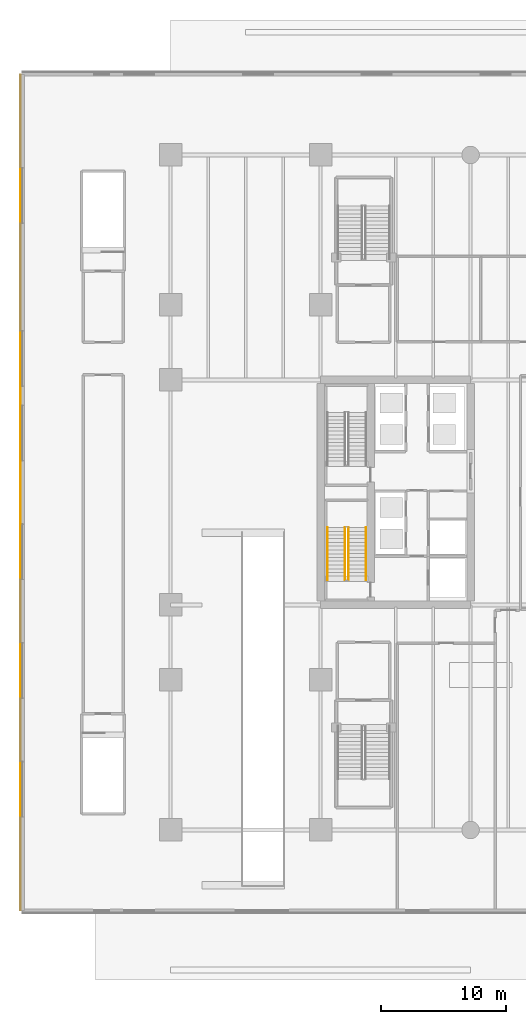
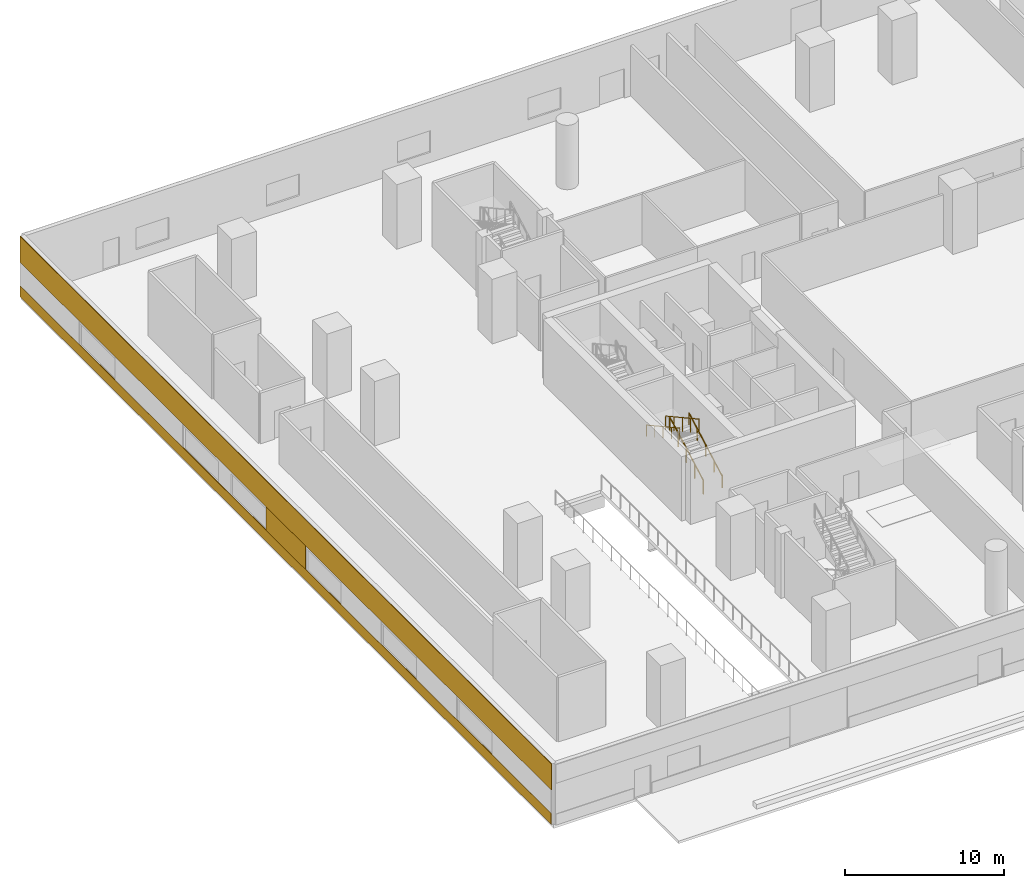
# One storey, part 19 of 25: 4 railings, 3 coverings.
"""IFC4 building model written with IfcOpenShell, lengths in metres."""

from ifc_helpers import new_model, si_unit, direction, frame, origin, origin_2d, place, context, subcontext, project, spatial, rectangle, extrude, material, layer, layer_set, type_object, element, save


model = new_model("IFC4")

# Units and contexts
model_context = context("Model", 3, precision=1e-05, world=origin(), true_north=direction((0.0, 1.0)))
body_context = subcontext(model_context, "Body", "Model", "MODEL_VIEW")
ifc_project = project(units=[si_unit("LENGTHUNIT", "METRE"), si_unit("AREAUNIT", "SQUARE_METRE"), si_unit("VOLUMEUNIT", "CUBIC_METRE"), si_unit("PLANEANGLEUNIT", "RADIAN"), si_unit("MASSUNIT", "GRAM", prefix="KILO")], contexts=[model_context])

# Site, building, storey
site_placement = place(None, origin())
site = spatial("IfcSite", under=ifc_project, at=site_placement, CompositionType="ELEMENT")
building_placement = place(site_placement, origin())
building = spatial("IfcBuilding", under=site, at=building_placement, Name="Tanjung Sevakor Pilgrim Tower", CompositionType="ELEMENT")
storey_placement = place(building_placement, origin())
storey = spatial("IfcBuildingStorey", under=building, at=storey_placement, Name="L01", CompositionType="ELEMENT", Elevation=0.0)

# Coverings
ifc_material_1 = material(Name="Reconstructed Limestone Cladding", Category="masonry")
ifc_layer = layer(ifc_material_1, 0.044921875)
ifc_layer_set = layer_set([ifc_layer], Name="COV-CLAD-LIMESTONE")
covering_type = type_object("IfcCoveringType", Name="COV-CLAD-LIMESTONE", PredefinedType="CLADDING", material=ifc_layer_set)
covering_1_placement = place(storey_placement, frame((-0.0224609375, 33.60009765625, 0.009765625), z_axis=(0.0, 0.0, 1.0), x_axis=(0.0, -1.0, 0.0)))
element("IfcCovering", 1, at=covering_1_placement, inside=storey, type_object=covering_type, Name="L01 Warm Limestone Sill Spandrel EW-L01-MAIN-4-1", PredefinedType="CLADDING", context=body_context, shape_type="SweptSolid", body=[
    extrude(rectangle(XDim=66.820068359375, YDim=0.044921875, at=origin_2d()), origin(), (0.0, 0.0, 1.0), 0.840087890625),
])
covering_2_placement = place(storey_placement, frame((-0.0224609375, 33.60009765625, 2.659912109375), z_axis=(0.0, 0.0, 1.0), x_axis=(0.0, -1.0, 0.0)))
element("IfcCovering", 2, at=covering_2_placement, inside=storey, type_object=covering_type, Name="L01 Warm Limestone Cornice Spandrel EW-L01-MAIN-4", PredefinedType="CLADDING", context=body_context, shape_type="SweptSolid", body=[
    extrude(rectangle(XDim=66.860107421875, YDim=0.044921875, at=origin_2d()), origin(), (0.0, 0.0, 1.0), 2.0),
])
covering_3_placement = place(storey_placement, frame((-0.0224609375, 33.60009765625, 0.849853515625), z_axis=(0.0, 0.0, 1.0), x_axis=(0.0, -1.0, 0.0)))
element("IfcCovering", 3, at=covering_3_placement, inside=storey, type_object=covering_type, Name="L01 Warm Limestone Pier Panel EW-L01-MAIN-4-3", PredefinedType="CLADDING", context=body_context, shape_type="SweptSolid", body=[
    extrude(rectangle(XDim=5.0, YDim=0.044921875, at=origin_2d()), origin(), (0.0, 0.0, 1.0), 1.81005859375),
])

# Railings
ifc_material_2 = material(Name="Steel S355J2", Category="steel")
railing_type_1 = type_object("IfcRailingType", Name="RL-STAIR-GUARD", PredefinedType="GUARDRAIL", material=ifc_material_2)
railing_1_placement = place(storey_placement, frame((26.25, 26.60009765625, 0.1650390625)))
element("IfcRailing", 4, at=railing_1_placement, inside=storey, type_object=railing_type_1, Name="L01 TS-W1 stair guard 1", PredefinedType="GUARDRAIL", context=body_context, shape_type="SweptSolid", body=[
    extrude(rectangle(XDim=0.0479, YDim=0.0479), frame((0.0, 0.0, 1.076171875), z_axis=(0.0, 0.876208380975, 0.481932436249), x_axis=(-1.0, 0.0, 0.0)), (0.0, 0.0, 1.0), 4.793212890625),
    extrude(rectangle(XDim=0.042, YDim=0.042), origin(), (0.0, 0.0, 1.0), 1.052001953125),
    extrude(rectangle(XDim=0.042, YDim=0.042), frame((0.0, 1.050048828125, 0.57763671875)), (0.0, 0.0, 1.0), 1.052001953125),
    extrude(rectangle(XDim=0.042, YDim=0.042), frame((0.0, 2.10009765625, 1.155029296875)), (0.0, 0.0, 1.0), 1.052001953125),
    extrude(rectangle(XDim=0.042, YDim=0.042), frame((0.0, 3.14990234375, 1.732421875)), (0.0, 0.0, 1.0), 1.052001953125),
    extrude(rectangle(XDim=0.042, YDim=0.042), frame((0.0, 4.199951171875, 2.31005859375)), (0.0, 0.0, 1.0), 1.052001953125),
])
railing_2_placement = place(storey_placement, frame((25.949951171875, 30.800048828125, 2.639892578125)))
element("IfcRailing", 5, at=railing_2_placement, inside=storey, type_object=railing_type_1, Name="L01 TS-W1 stair guard 3", PredefinedType="GUARDRAIL", context=body_context, shape_type="SweptSolid", body=[
    extrude(rectangle(XDim=0.0479, YDim=0.0479), frame((0.0, 0.0, 1.076171875), z_axis=(0.0, -0.876208380975, 0.481932436249), x_axis=(1.0, 0.0, 0.0)), (0.0, 0.0, 1.0), 4.793212890625),
    extrude(rectangle(XDim=0.042, YDim=0.042), origin(), (0.0, 0.0, 1.0), 1.052001953125),
    extrude(rectangle(XDim=0.042, YDim=0.042), frame((0.0, -1.050048828125, 0.57763671875)), (0.0, 0.0, 1.0), 1.052001953125),
    extrude(rectangle(XDim=0.042, YDim=0.042), frame((0.0, -2.10009765625, 1.155029296875)), (0.0, 0.0, 1.0), 1.052001953125),
    extrude(rectangle(XDim=0.042, YDim=0.042), frame((0.0, -3.14990234375, 1.732421875)), (0.0, 0.0, 1.0), 1.052001953125),
    extrude(rectangle(XDim=0.042, YDim=0.042), frame((0.0, -4.199951171875, 2.31005859375)), (0.0, 0.0, 1.0), 1.052001953125),
])
ifc_material_3 = material(Name="Steel S355J2", Category="steel")
railing_type_2 = type_object("IfcRailingType", Name="RL-STAIR-HAND", PredefinedType="HANDRAIL", material=ifc_material_3)
railing_3_placement = place(storey_placement, frame((27.64990234375, 26.60009765625, 0.1650390625)))
element("IfcRailing", 6, at=railing_3_placement, inside=storey, type_object=railing_type_2, Name="L01 TS-W1 stair handrail 1", PredefinedType="HANDRAIL", context=body_context, shape_type="SweptSolid", body=[
    extrude(rectangle(XDim=0.0479, YDim=0.0479), frame((0.0, 0.0, 0.8759765625), z_axis=(0.0, 0.876208380975, 0.481932436249), x_axis=(-1.0, 0.0, 0.0)), (0.0, 0.0, 1.0), 4.793212890625),
    extrude(rectangle(XDim=0.042, YDim=0.042), origin(), (0.0, 0.0, 1.0), 0.851806640625),
    extrude(rectangle(XDim=0.042, YDim=0.042), frame((0.0, 1.050048828125, 0.57763671875)), (0.0, 0.0, 1.0), 0.851806640625),
    extrude(rectangle(XDim=0.042, YDim=0.042), frame((0.0, 2.10009765625, 1.155029296875)), (0.0, 0.0, 1.0), 0.851806640625),
    extrude(rectangle(XDim=0.042, YDim=0.042), frame((0.0, 3.14990234375, 1.732421875)), (0.0, 0.0, 1.0), 0.851806640625),
    extrude(rectangle(XDim=0.042, YDim=0.042), frame((0.0, 4.199951171875, 2.31005859375)), (0.0, 0.0, 1.0), 0.851806640625),
])
railing_4_placement = place(storey_placement, frame((24.550048828125, 30.800048828125, 2.639892578125)))
element("IfcRailing", 7, at=railing_4_placement, inside=storey, type_object=railing_type_2, Name="L01 TS-W1 stair handrail 2", PredefinedType="HANDRAIL", context=body_context, shape_type="SweptSolid", body=[
    extrude(rectangle(XDim=0.0479, YDim=0.0479), frame((0.0, 0.0, 0.8759765625), z_axis=(0.0, -0.876208380975, 0.481932436249), x_axis=(1.0, 0.0, 0.0)), (0.0, 0.0, 1.0), 4.793212890625),
    extrude(rectangle(XDim=0.042, YDim=0.042), origin(), (0.0, 0.0, 1.0), 0.851806640625),
    extrude(rectangle(XDim=0.042, YDim=0.042), frame((0.0, -1.050048828125, 0.57763671875)), (0.0, 0.0, 1.0), 0.851806640625),
    extrude(rectangle(XDim=0.042, YDim=0.042), frame((0.0, -2.10009765625, 1.155029296875)), (0.0, 0.0, 1.0), 0.851806640625),
    extrude(rectangle(XDim=0.042, YDim=0.042), frame((0.0, -3.14990234375, 1.732421875)), (0.0, 0.0, 1.0), 0.851806640625),
    extrude(rectangle(XDim=0.042, YDim=0.042), frame((0.0, -4.199951171875, 2.31005859375)), (0.0, 0.0, 1.0), 0.851806640625),
])

save(model, "model.ifc")
